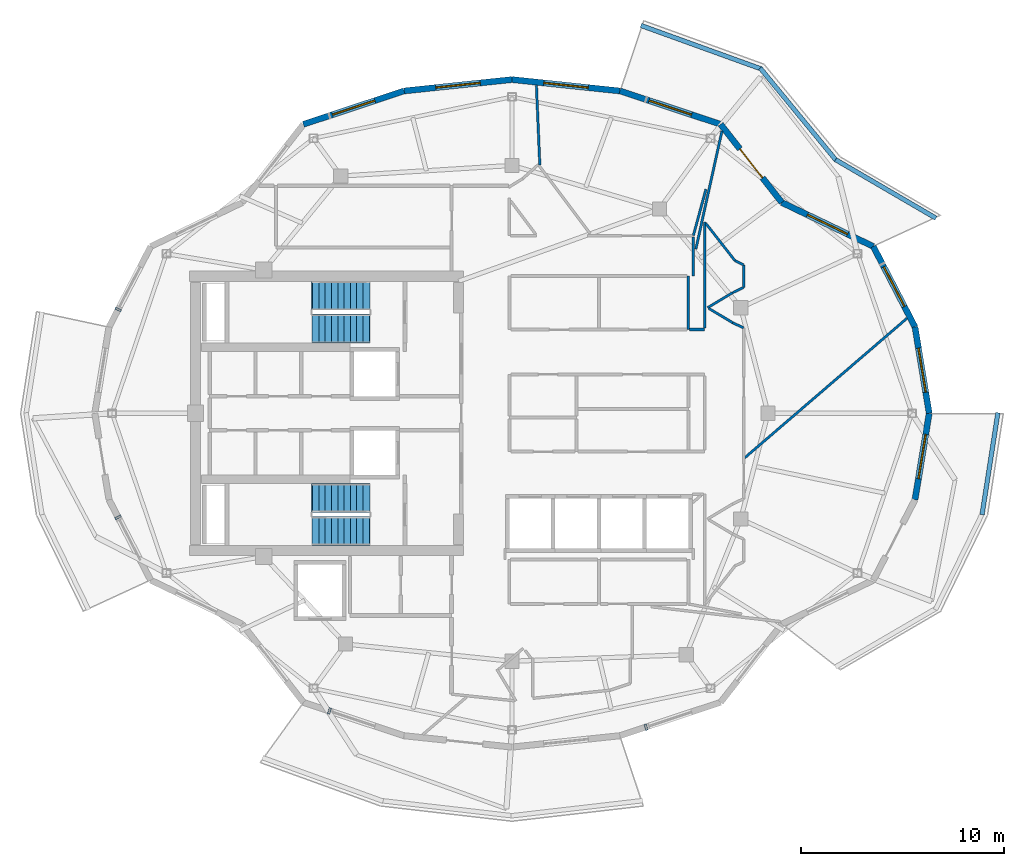
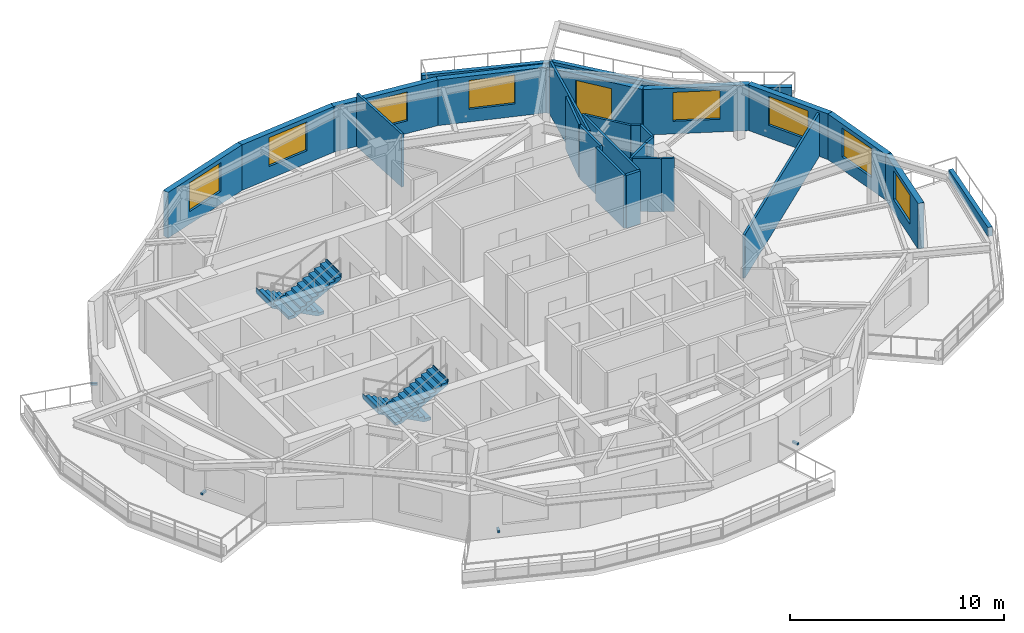
# One storey, part 7 of 11: 28 walls, 8 windows, 4 discrete accessories, 4 stair flights, 1 door, 9 openings, 2 elements without a shape of their own.
"""IFC4 building model written with IfcOpenShell, lengths in metres."""

from ifc_helpers import new_model, si_unit, direction, frame, frame_2d, origin, origin_2d, place, context, subcontext, project, spatial, polyline, rectangle, outline, extrude, material, layer, layer_set, type_object, element, fill, aggregate, save


model = new_model("IFC4")

# Units and contexts
model_context = context("Model", 3, precision=1e-05, world=origin(), true_north=direction((0.0, 1.0)))
body_context = subcontext(model_context, "Body", "Model", "MODEL_VIEW")
ifc_project = project(units=[si_unit("LENGTHUNIT", "METRE"), si_unit("AREAUNIT", "SQUARE_METRE"), si_unit("VOLUMEUNIT", "CUBIC_METRE"), si_unit("PLANEANGLEUNIT", "RADIAN"), si_unit("MASSUNIT", "GRAM", prefix="KILO")], contexts=[model_context])

# Site, building, storey
site_placement = place(None, origin())
site = spatial("IfcSite", under=ifc_project, at=site_placement, CompositionType="ELEMENT")
building_placement = place(site_placement, origin())
building = spatial("IfcBuilding", under=site, at=building_placement, Name="Kolvaren Gate Tower and Convention Centre", CompositionType="ELEMENT")
storey_placement = place(building_placement, frame((0.0, 0.0, 262.39990234375)))
storey = spatial("IfcBuildingStorey", under=building, at=storey_placement, Name="L71", CompositionType="ELEMENT", Elevation=262.39990234375)

# Walls
ifc_material_1 = material(Name="Fire-Rated Acoustic Gypsum Stud Partition", Category="gypsum")
ifc_layer_1 = layer(ifc_material_1, 0.1201171875)
ifc_layer_set_1 = layer_set([ifc_layer_1], Name="Fire-Rated Acoustic Gypsum Stud Partition")
wall_type_1 = type_object("IfcWallType", Name="ARCH-WL-PART-120", PredefinedType="PARTITIONING", material=ifc_layer_set_1)
wall_1_placement = place(storey_placement, frame((38.800048828125, 31.1201171875, 0.0), z_axis=(0.0, 0.0, 1.0), x_axis=(0.0, 1.0, 0.0)))
element("IfcWall", 1, at=wall_1_placement, inside=storey, type_object=wall_type_1, Name="Interior Partition WL-L71-INT-027", PredefinedType="PARTITIONING", context=body_context, shape_type="SweptSolid", body=[
    extrude(rectangle(XDim=2.6298828125, YDim=0.1201171875, at=frame_2d((1.31494140625, 0.0))), origin(), (0.0, 0.0, 1.0), 3.030029296875),
])
wall_2_placement = place(storey_placement, frame((39.050048828125, 33.75, 0.0), z_axis=(0.0, 0.0, 1.0), x_axis=(0.0, 1.0, 0.0)))
element("IfcWall", 2, at=wall_2_placement, inside=storey, type_object=wall_type_1, Name="Interior Partition WL-L71-INT-043", PredefinedType="PARTITIONING", context=body_context, shape_type="SweptSolid", body=[
    extrude(rectangle(XDim=1.93798828125, YDim=0.1201171875, at=frame_2d((0.968994140625, 0.0))), origin(), (0.0, 0.0, 1.0), 3.030029296875),
])
wall_3_placement = place(storey_placement, frame((39.60009765625, 31.197021484375, 0.0), z_axis=(0.0, 0.0, 1.0), x_axis=(0.0, 1.0, 0.0)))
element("IfcWall", 3, at=wall_3_placement, inside=storey, type_object=wall_type_1, Name="Interior Partition WL-L71-INT-046", PredefinedType="PARTITIONING", context=body_context, shape_type="SweptSolid", body=[
    extrude(rectangle(XDim=5.22998046875, YDim=0.1201171875, at=frame_2d((2.614990234375, 0.0))), origin(), (0.0, 0.0, 1.0), 3.030029296875),
])
wall_4_placement = place(storey_placement, frame((39.662109375, 36.347900390625, 0.0), z_axis=(0.0, 0.0, 1.0), x_axis=(0.616212345115, -0.78758005671, 0.0)))
element("IfcWall", 4, at=wall_4_placement, inside=storey, type_object=wall_type_1, Name="Interior Partition WL-L71-INT-047", PredefinedType="PARTITIONING", context=body_context, shape_type="SweptSolid", body=[
    extrude(rectangle(XDim=2.33349609375, YDim=0.1201171875, at=frame_2d((1.166748046875, 0.0))), origin(), (0.0, 0.0, 1.0), 3.030029296875),
])
wall_5_placement = place(storey_placement, frame((41.10009765625, 34.510009765625, 0.0), z_axis=(0.0, 0.0, 1.0), x_axis=(0.902054328377, -0.431622507125, 0.0)))
element("IfcWall", 5, at=wall_5_placement, inside=storey, type_object=wall_type_1, Name="Interior Partition WL-L71-INT-048", PredefinedType="PARTITIONING", context=body_context, shape_type="SweptSolid", body=[
    extrude(rectangle(XDim=0.465576171875, YDim=0.1201171875, at=frame_2d((0.23291015625, 0.0))), origin(), (0.0, 0.0, 1.0), 3.030029296875),
])
wall_6_placement = place(storey_placement, frame((41.52001953125, 33.193115234375, 0.0), z_axis=(0.0, 0.0, 1.0), x_axis=(0.0, 1.0, 0.0)))
element("IfcWall", 6, at=wall_6_placement, inside=storey, type_object=wall_type_1, Name="Interior Partition WL-L71-INT-051", PredefinedType="PARTITIONING", context=body_context, shape_type="SweptSolid", body=[
    extrude(rectangle(XDim=1.115966796875, YDim=0.1201171875, at=frame_2d((0.55810546875, 0.0))), origin(), (0.0, 0.0, 1.0), 3.030029296875),
])
wall_7_placement = place(storey_placement, frame((40.986083984375, 32.93994140625, 0.0), z_axis=(0.0, 0.0, 1.0), x_axis=(0.90356951601, 0.428441512621, 0.0)))
element("IfcWall", 7, at=wall_7_placement, inside=storey, type_object=wall_type_1, Name="Interior Partition WL-L71-INT-052", PredefinedType="PARTITIONING", context=body_context, shape_type="SweptSolid", body=[
    extrude(rectangle(XDim=0.5908203125, YDim=0.1201171875, at=frame_2d((0.29541015625, 0.0))), origin(), (0.0, 0.0, 1.0), 3.030029296875),
])
wall_8_placement = place(storey_placement, frame((39.75, 32.198974609375, 0.0), z_axis=(0.0, 0.0, 1.0), x_axis=(0.857702120906, 0.514146935996, 0.0)))
element("IfcWall", 8, at=wall_8_placement, inside=storey, type_object=wall_type_1, Name="Interior Partition WL-L71-INT-053", PredefinedType="PARTITIONING", context=body_context, shape_type="SweptSolid", body=[
    extrude(rectangle(XDim=1.441162109375, YDim=0.1201171875, at=frame_2d((0.720703125, 0.0))), origin(), (0.0, 0.0, 1.0), 3.030029296875),
])
wall_9_placement = place(storey_placement, frame((39.810302734375, 32.162841796875, 0.0), z_axis=(0.0, 0.0, 1.0), x_axis=(0.858011245414, -0.513630901273, 0.0)))
element("IfcWall", 9, at=wall_9_placement, inside=storey, type_object=wall_type_1, Name="Interior Partition WL-L71-INT-054", PredefinedType="PARTITIONING", context=body_context, shape_type="SweptSolid", body=[
    extrude(rectangle(XDim=1.370361328125, YDim=0.1201171875, at=frame_2d((0.68505859375, 0.0))), origin(), (0.0, 0.0, 1.0), 3.030029296875),
])
wall_10_placement = place(storey_placement, frame((40.986083984375, 31.458984375, 0.0), z_axis=(0.0, 0.0, 1.0), x_axis=(0.903729424576, -0.428104107847, 0.0)))
element("IfcWall", 10, at=wall_10_placement, inside=storey, type_object=wall_type_1, Name="Interior Partition WL-L71-INT-055", PredefinedType="PARTITIONING", context=body_context, shape_type="SweptSolid", body=[
    extrude(rectangle(XDim=0.5908203125, YDim=0.1201171875, at=frame_2d((0.29541015625, 0.0))), origin(), (0.0, 0.0, 1.0), 3.030029296875),
])
wall_11_placement = place(storey_placement, frame((41.58203125, 24.814453125, 0.0), z_axis=(0.0, 0.0, 1.0), x_axis=(0.758204685581, 0.652016606202, 0.0)))
element("IfcWall", 11, at=wall_11_placement, inside=storey, type_object=wall_type_1, Name="Interior Partition WL-L71-INT-076", PredefinedType="PARTITIONING", context=body_context, shape_type="SweptSolid", body=[
    extrude(rectangle(XDim=10.52783203125, YDim=0.1201171875, at=frame_2d((5.263916015625, 0.0))), origin(), (0.0, 0.0, 1.0), 2.47802734375),
])
wall_12_placement = place(storey_placement, frame((39.172119140625, 35.08349609375, 0.0), z_axis=(0.0, 0.0, 1.0), x_axis=(0.216048361883, 0.976382663369, 0.0)))
element("IfcWall", 12, at=wall_12_placement, inside=storey, type_object=wall_type_1, Name="Interior Partition WL-L71-INT-079", PredefinedType="PARTITIONING", context=body_context, shape_type="SweptSolid", body=[
    extrude(rectangle(XDim=5.94970703125, YDim=0.1201171875, at=frame_2d((2.974853515625, 0.0))), origin(), (0.0, 0.0, 1.0), 3.030029296875),
])
wall_13_placement = place(storey_placement, frame((39.050048828125, 35.75, 0.0), z_axis=(0.0, 0.0, 1.0), x_axis=(0.262548848822, 0.964918702266, 0.0)))
element("IfcWall", 13, at=wall_13_placement, inside=storey, type_object=wall_type_1, Name="Interior Partition WL-L71-INT-080", PredefinedType="PARTITIONING", context=body_context, shape_type="SweptSolid", body=[
    extrude(rectangle(XDim=2.36181640625, YDim=0.1201171875, at=frame_2d((1.180908203125, 0.0))), origin(), (0.0, 0.0, 1.0), 3.030029296875),
])
wall_14_placement = place(storey_placement, frame((31.326171875, 43.145751953125, 0.0), z_axis=(0.0, 0.0, 1.0), x_axis=(0.042550336493, -0.999094324308, 0.0)))
element("IfcWall", 14, at=wall_14_placement, inside=storey, type_object=wall_type_1, Name="Interior Partition WL-L71-INT-081", PredefinedType="PARTITIONING", context=body_context, shape_type="SweptSolid", body=[
    extrude(rectangle(XDim=3.930419921875, YDim=0.1201171875, at=frame_2d((1.96533203125, 0.0))), origin(), (0.0, 0.0, 1.0), 3.030029296875),
])
ifc_material_2 = material(Name="Piedmont Cream Honed Limestone Cladding", Category="masonry")
ifc_layer_2 = layer(ifc_material_2, 0.219970703125)
ifc_layer_set_2 = layer_set([ifc_layer_2], Name="Piedmont Cream Honed Limestone Cladding")
wall_type_2 = type_object("IfcWallType", Name="ARCH-WL-PLANTER-220", PredefinedType="PARAPET", material=ifc_layer_set_2)
wall_15_placement = place(storey_placement, frame((46.0478515625, 39.484619140625, 0.0), z_axis=(0.0, 0.0, 1.0), x_axis=(0.863803671285, -0.503828559606, 0.0)))
element("IfcWall", 15, at=wall_15_placement, inside=storey, type_object=wall_type_2, Name="Vertical-Forest Balcony Stone Planter Kerb PK-L71-1.1", PredefinedType="PARAPET", context=body_context, shape_type="SweptSolid", body=[
    extrude(rectangle(XDim=5.719482421875, YDim=0.219970703125, at=frame_2d((2.85986328125, 0.0))), origin(), (0.0, 0.0, 1.0), 0.52001953125),
])
wall_16_placement = place(storey_placement, frame((42.338623046875, 43.989990234375, 0.0), z_axis=(0.0, 0.0, 1.0), x_axis=(0.635450933862, -0.772141250455, 0.0)))
element("IfcWall", 16, at=wall_16_placement, inside=storey, type_object=wall_type_2, Name="Vertical-Forest Balcony Stone Planter Kerb PK-L71-1.2", PredefinedType="PARAPET", context=body_context, shape_type="SweptSolid", body=[
    extrude(rectangle(XDim=5.91015625, YDim=0.219970703125, at=frame_2d((2.955078125, 0.0))), origin(), (0.0, 0.0, 1.0), 0.52001953125),
])
wall_17_placement = place(storey_placement, frame((36.47265625, 46.087158203125, 0.0), z_axis=(0.0, 0.0, 1.0), x_axis=(0.940465240036, -0.339889882585, 0.0)))
element("IfcWall", 17, at=wall_17_placement, inside=storey, type_object=wall_type_2, Name="Vertical-Forest Balcony Stone Planter Kerb PK-L71-1.3", PredefinedType="PARAPET", context=body_context, shape_type="SweptSolid", body=[
    extrude(rectangle(XDim=6.306640625, YDim=0.219970703125, at=frame_2d((3.1533203125, 0.0))), origin(), (0.0, 0.0, 1.0), 0.52001953125),
])
wall_18_placement = place(storey_placement, frame((53.2568359375, 22.01123046875, 0.0), z_axis=(0.0, 0.0, 1.0), x_axis=(0.15374038442, 0.988111276223, 0.0)))
element("IfcWall", 18, at=wall_18_placement, inside=storey, type_object=wall_type_2, Name="Vertical-Forest Balcony Stone Planter Kerb PK-L71-4.3", PredefinedType="PARAPET", context=body_context, shape_type="SweptSolid", body=[
    extrude(rectangle(XDim=5.078369140625, YDim=0.219970703125, at=frame_2d((2.5390625, 0.0))), origin(), (0.0, 0.0, 1.0), 0.52001953125),
])

# Wall, opening, window
ifc_layer_3 = layer(ifc_material_2, 0.300048828125)
ifc_layer_set_3 = layer_set([ifc_layer_3], Name="Piedmont Cream Honed Limestone Cladding")
wall_type_3 = type_object("IfcWallType", Name="ARCH-WL-STONE-300", PredefinedType="SOLIDWALL", material=ifc_layer_set_3)
wall_19_placement = place(storey_placement, frame((49.95654296875, 31.251220703125, 0.0), z_axis=(0.0, 0.0, 1.0), x_axis=(0.162404622434, -0.98672424649, 0.0)))
wall_19 = element("IfcWall", 19, at=wall_19_placement, inside=storey, type_object=wall_type_3, Name="Tower L71 Honed Stone Spandrel Wall EW-00", PredefinedType="SOLIDWALL", context=body_context, shape_type="SweptSolid", body=[
    extrude(rectangle(XDim=4.308349609375, YDim=0.300048828125, at=frame_2d((2.154296875, 0.0))), origin(), (0.0, 0.0, 1.0), 2.60498046875),
])
opening_1_placement = place(wall_19_placement, frame((1.053955078125, 0.0, 0.719970703125)))
opening_1 = element("IfcOpeningElement", 20, at=opening_1_placement, cuts=wall_19, Name="Opening W-03", PredefinedType="OPENING", context=body_context, shape_type="SweptSolid", body=[
    extrude(rectangle(XDim=2.199951171875, YDim=1.64990234375, at=frame_2d((1.10009765625, 0.824951171875))), frame((0.0, 0.159912109375, 0.0), z_axis=(0.0, -1.0, 0.0), x_axis=(1.0, 0.0, 0.0)), (0.0, 0.0, 1.0), 0.320068359375),
])
ifc_material_3 = material(Name="Low-E Triple Insulated Glazing Unit 44 mm", Category="glass")
window_type = type_object("IfcWindowType", Name="ARCH-WN-RES-2200", PartitioningType="SINGLE_PANEL", PredefinedType="WINDOW", material=ifc_material_3)
window_1_placement = place(opening_1_placement, origin())
window_1 = element("IfcWindow", 21, at=window_1_placement, inside=storey, type_object=window_type, Name="Tower L71 Punched Stone Facade Window W-00", OverallHeight=1.64990234375, OverallWidth=2.199951171875, PartitioningType="SINGLE_PANEL", PredefinedType="WINDOW", context=body_context, shape_type="SweptSolid", body=[
    extrude(rectangle(XDim=2.199951171875, YDim=1.64990234375, at=frame_2d((1.10009765625, 0.824951171875))), frame((0.0, 0.030029296875, 0.0), z_axis=(0.0, -1.0, 0.0), x_axis=(1.0, 0.0, 0.0)), (0.0, 0.0, 1.0), 0.06005859375),
])
fill(opening_1, window_1)

wall_20_placement = place(storey_placement, frame((47.905517578125, 35.21240234375, 0.0), z_axis=(0.0, 0.0, 1.0), x_axis=(0.459801070243, -0.888021945564, 0.0)))
wall_20 = element("IfcWall", 22, at=wall_20_placement, inside=storey, type_object=wall_type_3, Name="Tower L71 Honed Stone Spandrel Wall EW-01", PredefinedType="SOLIDWALL", context=body_context, shape_type="SweptSolid", body=[
    extrude(rectangle(XDim=4.460693359375, YDim=0.300048828125, at=frame_2d((2.23046875, 0.0))), origin(), (0.0, 0.0, 1.0), 2.60498046875),
])
opening_2_placement = place(wall_20_placement, frame((1.1298828125, 0.0, 0.719970703125)))
opening_2 = element("IfcOpeningElement", 23, at=opening_2_placement, cuts=wall_20, Name="Opening W-03", PredefinedType="OPENING", context=body_context, shape_type="SweptSolid", body=[
    extrude(rectangle(XDim=2.199951171875, YDim=1.64990234375, at=frame_2d((1.10009765625, 0.824951171875))), frame((0.0, 0.159912109375, 0.0), z_axis=(0.0, -1.0, 0.0), x_axis=(1.0, 0.0, 0.0)), (0.0, 0.0, 1.0), 0.320068359375),
])
window_2_placement = place(opening_2_placement, origin())
window_2 = element("IfcWindow", 24, at=window_2_placement, inside=storey, type_object=window_type, Name="Tower L71 Punched Stone Facade Window W-01", OverallHeight=1.64990234375, OverallWidth=2.199951171875, PartitioningType="SINGLE_PANEL", PredefinedType="WINDOW", context=body_context, shape_type="SweptSolid", body=[
    extrude(rectangle(XDim=2.199951171875, YDim=1.64990234375, at=frame_2d((1.10009765625, 0.824951171875))), frame((0.0, 0.030029296875, 0.0), z_axis=(0.0, -1.0, 0.0), x_axis=(1.0, 0.0, 0.0)), (0.0, 0.0, 1.0), 0.06005859375),
])
fill(opening_2, window_2)

wall_21_placement = place(storey_placement, frame((43.40380859375, 37.37548828125, 0.0), z_axis=(0.0, 0.0, 1.0), x_axis=(0.901346013132, -0.433099716706, 0.0)))
wall_21 = element("IfcWall", 25, at=wall_21_placement, inside=storey, type_object=wall_type_3, Name="Tower L71 Honed Stone Spandrel Wall EW-02", PredefinedType="SOLIDWALL", context=body_context, shape_type="SweptSolid", body=[
    extrude(rectangle(XDim=4.994384765625, YDim=0.300048828125, at=frame_2d((2.4970703125, 0.0))), origin(), (0.0, 0.0, 1.0), 2.60498046875),
])
opening_3_placement = place(wall_21_placement, frame((1.39697265625, 0.0, 0.719970703125)))
opening_3 = element("IfcOpeningElement", 26, at=opening_3_placement, cuts=wall_21, Name="Opening W-03", PredefinedType="OPENING", context=body_context, shape_type="SweptSolid", body=[
    extrude(rectangle(XDim=2.199951171875, YDim=1.64990234375, at=frame_2d((1.10009765625, 0.824951171875))), frame((0.0, 0.159912109375, 0.0), z_axis=(0.0, -1.0, 0.0), x_axis=(1.0, 0.0, 0.0)), (0.0, 0.0, 1.0), 0.320068359375),
])
window_3_placement = place(opening_3_placement, origin())
window_3 = element("IfcWindow", 27, at=window_3_placement, inside=storey, type_object=window_type, Name="Tower L71 Punched Stone Facade Window W-02", OverallHeight=1.64990234375, OverallWidth=2.199951171875, PartitioningType="SINGLE_PANEL", PredefinedType="WINDOW", context=body_context, shape_type="SweptSolid", body=[
    extrude(rectangle(XDim=2.199951171875, YDim=1.64990234375, at=frame_2d((1.10009765625, 0.824951171875))), frame((0.0, 0.030029296875, 0.0), z_axis=(0.0, -1.0, 0.0), x_axis=(1.0, 0.0, 0.0)), (0.0, 0.0, 1.0), 0.06005859375),
])
fill(opening_3, window_3)

# Wall, opening, door
wall_22_placement = place(storey_placement, frame((40.390625, 41.224609375, 0.0), z_axis=(0.0, 0.0, 1.0), x_axis=(0.616413297421, -0.78742278781, 0.0)))
wall_22 = element("IfcWall", 28, at=wall_22_placement, inside=storey, type_object=wall_type_3, Name="Tower L71 Honed Stone Spandrel Wall EW-03", PredefinedType="SOLIDWALL", context=body_context, shape_type="SweptSolid", body=[
    extrude(rectangle(XDim=4.88818359375, YDim=0.300048828125, at=frame_2d((2.444091796875, 0.0))), origin(), (0.0, 0.0, 1.0), 2.60498046875),
])
opening_4_placement = place(wall_22_placement, frame((1.5439453125, 0.0, 0.0)))
opening_4 = element("IfcOpeningElement", 29, at=opening_4_placement, cuts=wall_22, Name="Opening DB-01", PredefinedType="OPENING", context=body_context, shape_type="SweptSolid", body=[
    extrude(rectangle(XDim=1.800048828125, YDim=2.25, at=frame_2d((0.89990234375, 1.125))), frame((0.0, 0.159912109375, 0.0), z_axis=(0.0, -1.0, 0.0), x_axis=(1.0, 0.0, 0.0)), (0.0, 0.0, 1.0), 0.320068359375),
])
ifc_material_4 = material(Name="Anodized Architectural Aluminium Alloy 6063-T6", Category="aluminium")
door_type = type_object("IfcDoorType", Name="ARCH-DR-BALC-1800", OperationType="SLIDING_TO_LEFT", PredefinedType="DOOR", material=ifc_material_4)
door_placement = place(opening_4_placement, origin())
door = element("IfcDoor", 30, at=door_placement, inside=storey, type_object=door_type, Name="Planted Sky Terrace Access Door DB-L71-03", OperationType="SLIDING_TO_LEFT", OverallHeight=2.25, OverallWidth=1.800048828125, PredefinedType="DOOR", context=body_context, shape_type="SweptSolid", body=[
    extrude(rectangle(XDim=1.800048828125, YDim=2.25, at=frame_2d((0.89990234375, 1.125))), frame((0.0, 0.02490234375, 0.0), z_axis=(0.0, -1.0, 0.0), x_axis=(1.0, 0.0, 0.0)), (0.0, 0.0, 1.0), 0.050048828125),
])
fill(opening_4, door)

# Wall, opening, window
wall_23_placement = place(storey_placement, frame((35.43896484375, 42.865234375, 0.0), z_axis=(0.0, 0.0, 1.0), x_axis=(0.949252744709, -0.314514271001, 0.0)))
wall_23 = element("IfcWall", 31, at=wall_23_placement, inside=storey, type_object=wall_type_3, Name="Tower L71 Honed Stone Spandrel Wall EW-04", PredefinedType="SOLIDWALL", context=body_context, shape_type="SweptSolid", body=[
    extrude(rectangle(XDim=5.21630859375, YDim=0.300048828125, at=frame_2d((2.608154296875, 0.0))), origin(), (0.0, 0.0, 1.0), 2.60498046875),
])
opening_5_placement = place(wall_23_placement, frame((1.508056640625, 0.0, 0.719970703125)))
opening_5 = element("IfcOpeningElement", 32, at=opening_5_placement, cuts=wall_23, Name="Opening W-03", PredefinedType="OPENING", context=body_context, shape_type="SweptSolid", body=[
    extrude(rectangle(XDim=2.199951171875, YDim=1.64990234375, at=frame_2d((1.10009765625, 0.824951171875))), frame((0.0, 0.159912109375, 0.0), z_axis=(0.0, -1.0, 0.0), x_axis=(1.0, 0.0, 0.0)), (0.0, 0.0, 1.0), 0.320068359375),
])
window_4_placement = place(opening_5_placement, origin())
window_4 = element("IfcWindow", 33, at=window_4_placement, inside=storey, type_object=window_type, Name="Tower L71 Punched Stone Facade Window W-04", OverallHeight=1.64990234375, OverallWidth=2.199951171875, PartitioningType="SINGLE_PANEL", PredefinedType="WINDOW", context=body_context, shape_type="SweptSolid", body=[
    extrude(rectangle(XDim=2.199951171875, YDim=1.64990234375, at=frame_2d((1.10009765625, 0.824951171875))), frame((0.0, 0.030029296875, 0.0), z_axis=(0.0, -1.0, 0.0), x_axis=(1.0, 0.0, 0.0)), (0.0, 0.0, 1.0), 0.06005859375),
])
fill(opening_5, window_4)

wall_24_placement = place(storey_placement, frame((30.125, 43.425048828125, 0.0), z_axis=(0.0, 0.0, 1.0), x_axis=(0.9944966869, -0.104768028258, 0.0)))
wall_24 = element("IfcWall", 34, at=wall_24_placement, inside=storey, type_object=wall_type_3, Name="Tower L71 Honed Stone Spandrel Wall EW-05", PredefinedType="SOLIDWALL", context=body_context, shape_type="SweptSolid", body=[
    extrude(rectangle(XDim=5.34326171875, YDim=0.300048828125, at=frame_2d((2.671630859375, 0.0))), origin(), (0.0, 0.0, 1.0), 2.60498046875),
])
opening_6_placement = place(wall_24_placement, frame((1.572021484375, 0.0, 0.719970703125)))
opening_6 = element("IfcOpeningElement", 35, at=opening_6_placement, cuts=wall_24, Name="Opening W-03", PredefinedType="OPENING", context=body_context, shape_type="SweptSolid", body=[
    extrude(rectangle(XDim=2.199951171875, YDim=1.64990234375, at=frame_2d((1.10009765625, 0.824951171875))), frame((0.0, 0.159912109375, 0.0), z_axis=(0.0, -1.0, 0.0), x_axis=(1.0, 0.0, 0.0)), (0.0, 0.0, 1.0), 0.320068359375),
])
window_5_placement = place(opening_6_placement, origin())
window_5 = element("IfcWindow", 36, at=window_5_placement, inside=storey, type_object=window_type, Name="Tower L71 Punched Stone Facade Window W-05", OverallHeight=1.64990234375, OverallWidth=2.199951171875, PartitioningType="SINGLE_PANEL", PredefinedType="WINDOW", context=body_context, shape_type="SweptSolid", body=[
    extrude(rectangle(XDim=2.199951171875, YDim=1.64990234375, at=frame_2d((1.10009765625, 0.824951171875))), frame((0.0, 0.030029296875, 0.0), z_axis=(0.0, -1.0, 0.0), x_axis=(1.0, 0.0, 0.0)), (0.0, 0.0, 1.0), 0.06005859375),
])
fill(opening_6, window_5)

wall_25_placement = place(storey_placement, frame((24.81103515625, 42.865234375, 0.0), z_axis=(0.0, 0.0, 1.0), x_axis=(0.9944966869, 0.104768028258, 0.0)))
wall_25 = element("IfcWall", 37, at=wall_25_placement, inside=storey, type_object=wall_type_3, Name="Tower L71 Honed Stone Spandrel Wall EW-06", PredefinedType="SOLIDWALL", context=body_context, shape_type="SweptSolid", body=[
    extrude(rectangle(XDim=5.34326171875, YDim=0.300048828125, at=frame_2d((2.671630859375, 0.0))), origin(), (0.0, 0.0, 1.0), 2.60498046875),
])
opening_7_placement = place(wall_25_placement, frame((1.572021484375, 0.0, 0.719970703125)))
opening_7 = element("IfcOpeningElement", 38, at=opening_7_placement, cuts=wall_25, Name="Opening W-03", PredefinedType="OPENING", context=body_context, shape_type="SweptSolid", body=[
    extrude(rectangle(XDim=2.199951171875, YDim=1.64990234375, at=frame_2d((1.10009765625, 0.824951171875))), frame((0.0, 0.159912109375, 0.0), z_axis=(0.0, -1.0, 0.0), x_axis=(1.0, 0.0, 0.0)), (0.0, 0.0, 1.0), 0.320068359375),
])
window_6_placement = place(opening_7_placement, origin())
window_6 = element("IfcWindow", 39, at=window_6_placement, inside=storey, type_object=window_type, Name="Tower L71 Punched Stone Facade Window W-06", OverallHeight=1.64990234375, OverallWidth=2.199951171875, PartitioningType="SINGLE_PANEL", PredefinedType="WINDOW", context=body_context, shape_type="SweptSolid", body=[
    extrude(rectangle(XDim=2.199951171875, YDim=1.64990234375, at=frame_2d((1.10009765625, 0.824951171875))), frame((0.0, 0.030029296875, 0.0), z_axis=(0.0, -1.0, 0.0), x_axis=(1.0, 0.0, 0.0)), (0.0, 0.0, 1.0), 0.06005859375),
])
fill(opening_7, window_6)

wall_26_placement = place(storey_placement, frame((19.859375, 41.224609375, 0.0), z_axis=(0.0, 0.0, 1.0), x_axis=(0.949252744709, 0.314514271001, 0.0)))
wall_26 = element("IfcWall", 40, at=wall_26_placement, inside=storey, type_object=wall_type_3, Name="Tower L71 Honed Stone Spandrel Wall EW-07", PredefinedType="SOLIDWALL", context=body_context, shape_type="SweptSolid", body=[
    extrude(rectangle(XDim=5.21630859375, YDim=0.300048828125, at=frame_2d((2.608154296875, 0.0))), origin(), (0.0, 0.0, 1.0), 2.60498046875),
])
opening_8_placement = place(wall_26_placement, frame((1.508056640625, 0.0, 0.719970703125)))
opening_8 = element("IfcOpeningElement", 41, at=opening_8_placement, cuts=wall_26, Name="Opening W-03", PredefinedType="OPENING", context=body_context, shape_type="SweptSolid", body=[
    extrude(rectangle(XDim=2.199951171875, YDim=1.64990234375, at=frame_2d((1.10009765625, 0.824951171875))), frame((0.0, 0.159912109375, 0.0), z_axis=(0.0, -1.0, 0.0), x_axis=(1.0, 0.0, 0.0)), (0.0, 0.0, 1.0), 0.320068359375),
])
window_7_placement = place(opening_8_placement, origin())
window_7 = element("IfcWindow", 42, at=window_7_placement, inside=storey, type_object=window_type, Name="Tower L71 Punched Stone Facade Window W-07", OverallHeight=1.64990234375, OverallWidth=2.199951171875, PartitioningType="SINGLE_PANEL", PredefinedType="WINDOW", context=body_context, shape_type="SweptSolid", body=[
    extrude(rectangle(XDim=2.199951171875, YDim=1.64990234375, at=frame_2d((1.10009765625, 0.824951171875))), frame((0.0, 0.030029296875, 0.0), z_axis=(0.0, -1.0, 0.0), x_axis=(1.0, 0.0, 0.0)), (0.0, 0.0, 1.0), 0.06005859375),
])
fill(opening_8, window_7)

wall_27_placement = place(storey_placement, frame((49.95654296875, 22.748779296875, 0.0), z_axis=(0.0, 0.0, 1.0), x_axis=(0.162404622434, 0.98672424649, 0.0)))
wall_27 = element("IfcWall", 43, at=wall_27_placement, inside=storey, type_object=wall_type_3, Name="Tower L71 Honed Stone Spandrel Wall EW-23", PredefinedType="SOLIDWALL", context=body_context, shape_type="SweptSolid", body=[
    extrude(rectangle(XDim=4.308349609375, YDim=0.300048828125, at=frame_2d((2.154296875, 0.0))), origin(), (0.0, 0.0, 1.0), 2.60498046875),
])
opening_9_placement = place(wall_27_placement, frame((1.053955078125, 0.0, 0.719970703125)))
opening_9 = element("IfcOpeningElement", 44, at=opening_9_placement, cuts=wall_27, Name="Opening W-03", PredefinedType="OPENING", context=body_context, shape_type="SweptSolid", body=[
    extrude(rectangle(XDim=2.199951171875, YDim=1.64990234375, at=frame_2d((1.10009765625, 0.824951171875))), frame((0.0, 0.159912109375, 0.0), z_axis=(0.0, -1.0, 0.0), x_axis=(1.0, 0.0, 0.0)), (0.0, 0.0, 1.0), 0.320068359375),
])
window_8_placement = place(opening_9_placement, origin())
window_8 = element("IfcWindow", 45, at=window_8_placement, inside=storey, type_object=window_type, Name="Tower L71 Punched Stone Facade Window W-23", OverallHeight=1.64990234375, OverallWidth=2.199951171875, PartitioningType="SINGLE_PANEL", PredefinedType="WINDOW", context=body_context, shape_type="SweptSolid", body=[
    extrude(rectangle(XDim=2.199951171875, YDim=1.64990234375, at=frame_2d((1.10009765625, 0.824951171875))), frame((0.0, 0.030029296875, 0.0), z_axis=(0.0, -1.0, 0.0), x_axis=(1.0, 0.0, 0.0)), (0.0, 0.0, 1.0), 0.06005859375),
])
fill(opening_9, window_8)

# Wall
ifc_material_5 = material(Name="Moisture-Resistant Cement-Board Acoustic Partition", Category="gypsum")
ifc_layer_4 = layer(ifc_material_5, 0.14990234375)
ifc_layer_set_4 = layer_set([ifc_layer_4], Name="Moisture-Resistant Cement-Board Acoustic Partition")
wall_type_4 = type_object("IfcWallType", Name="ARCH-WL-WET-150", PredefinedType="PARTITIONING", material=ifc_layer_set_4)
wall_28_placement = place(storey_placement, frame((38.862060546875, 31.1201171875, 0.0), z_axis=(0.0, 0.0, 1.0), x_axis=(1.0, 0.0, 0.0)))
element("IfcWall", 46, at=wall_28_placement, inside=storey, type_object=wall_type_4, Name="Interior Partition WL-L71-INT-028 (2)", PredefinedType="PARTITIONING", context=body_context, shape_type="SweptSolid", body=[
    extrude(rectangle(XDim=0.738037109375, YDim=0.14990234375, at=frame_2d((0.369140625, 0.0))), origin(), (0.0, 0.0, 1.0), 3.030029296875),
])

# Stair, stair flights
ifc_material_6 = material(Name="Concrete C50/60", Category="concrete")
stair_type = type_object("IfcStairType", Name="STR-STAIR-CORE", PredefinedType="HALF_TURN_STAIR", material=ifc_material_6)
stair_1_placement = place(storey_placement, origin())
stair_1 = element("IfcStair", 47, at=stair_1_placement, inside=storey, type_object=stair_type, Name="L71 Tower North Exit Stair ST-T1", PredefinedType="HALF_TURN_STAIR")
stair_flight_type = type_object("IfcStairFlightType", Name="STR-SFL-1420", PredefinedType="STRAIGHT", material=ifc_material_6)
stair_flight_1_placement = place(storey_placement, frame((23.10009765625, 32.7900390625, 0.0), z_axis=(0.0, 0.0, 1.0), x_axis=(-1.0, 0.0, 0.0)))
stair_flight_1 = element("IfcStairFlight", 48, at=stair_flight_1_placement, type_object=stair_flight_type, Name="ST-T1 flight 1", NumberOfRisers=10, NumberOfTreads=9, PredefinedType="STRAIGHT", RiserHeight=0.165, TreadLength=0.31, context=body_context, shape_type="SweptSolid", body=[
    extrude(outline(polyline([(-0.034912109375, 0.0), (-0.034912109375, 0.1650390625), (0.31005859375, 0.1650390625), (0.31005859375, 0.330078125), (0.6201171875, 0.330078125), (0.6201171875, 0.4951171875), (0.929931640625, 0.4951171875), (0.929931640625, 0.659912109375), (1.239990234375, 0.659912109375), (1.239990234375, 0.824951171875), (1.550048828125, 0.824951171875), (1.550048828125, 0.989990234375), (1.860107421875, 0.989990234375), (1.860107421875, 1.155029296875), (2.169921875, 1.155029296875), (2.169921875, 1.320068359375), (2.47998046875, 1.320068359375), (2.47998046875, 1.485107421875), (2.7900390625, 1.485107421875), (2.7900390625, 1.64990234375), (2.8349609375, 1.64990234375), (2.8349609375, 1.489990234375), (2.7900390625, 1.315185546875), (0.319091796875, 0.0), (-0.034912109375, 0.0)])), frame((0.0, 0.7099609375, 0.0), z_axis=(0.0, -1.0, 0.0), x_axis=(1.0, 0.0, 0.0)), (0.0, 0.0, 1.0), 1.419921875),
])
stair_flight_2_placement = place(storey_placement, frame((20.31005859375, 31.169921875, 1.650146484375), z_axis=(0.0, 0.0, 1.0), x_axis=(1.0, 0.0, 0.0)))
stair_flight_2 = element("IfcStairFlight", 49, at=stair_flight_2_placement, type_object=stair_flight_type, Name="ST-T1 flight 2", NumberOfRisers=10, NumberOfTreads=9, PredefinedType="STRAIGHT", RiserHeight=0.165, TreadLength=0.31, context=body_context, shape_type="SweptSolid", body=[
    extrude(outline(polyline([(-0.034912109375, 0.0), (-0.034912109375, 0.1650390625), (0.31005859375, 0.1650390625), (0.31005859375, 0.330078125), (0.6201171875, 0.330078125), (0.6201171875, 0.4951171875), (0.929931640625, 0.4951171875), (0.929931640625, 0.659912109375), (1.239990234375, 0.659912109375), (1.239990234375, 0.824951171875), (1.550048828125, 0.824951171875), (1.550048828125, 0.989990234375), (1.860107421875, 0.989990234375), (1.860107421875, 1.155029296875), (2.169921875, 1.155029296875), (2.169921875, 1.320068359375), (2.47998046875, 1.320068359375), (2.47998046875, 1.485107421875), (2.7900390625, 1.485107421875), (2.7900390625, 1.64990234375), (2.8349609375, 1.64990234375), (2.8349609375, 1.489990234375), (2.7900390625, 1.315185546875), (0.319091796875, 0.0), (-0.034912109375, 0.0)])), frame((0.0, 0.7099609375, 0.0), z_axis=(0.0, -1.0, 0.0), x_axis=(1.0, 0.0, 0.0)), (0.0, 0.0, 1.0), 1.419921875),
])
aggregate(stair_1, [stair_flight_1, stair_flight_2])

stair_2_placement = place(storey_placement, origin())
stair_2 = element("IfcStair", 50, at=stair_2_placement, inside=storey, type_object=stair_type, Name="L71 Tower South Exit Stair ST-T2", PredefinedType="HALF_TURN_STAIR")
stair_flight_3_placement = place(storey_placement, frame((23.10009765625, 22.830078125, 0.0), z_axis=(0.0, 0.0, 1.0), x_axis=(-1.0, 0.0, 0.0)))
stair_flight_3 = element("IfcStairFlight", 51, at=stair_flight_3_placement, type_object=stair_flight_type, Name="ST-T2 flight 1", NumberOfRisers=10, NumberOfTreads=9, PredefinedType="STRAIGHT", RiserHeight=0.165, TreadLength=0.31, context=body_context, shape_type="SweptSolid", body=[
    extrude(outline(polyline([(-0.034912109375, 0.0), (-0.034912109375, 0.1650390625), (0.31005859375, 0.1650390625), (0.31005859375, 0.330078125), (0.6201171875, 0.330078125), (0.6201171875, 0.4951171875), (0.929931640625, 0.4951171875), (0.929931640625, 0.659912109375), (1.239990234375, 0.659912109375), (1.239990234375, 0.824951171875), (1.550048828125, 0.824951171875), (1.550048828125, 0.989990234375), (1.860107421875, 0.989990234375), (1.860107421875, 1.155029296875), (2.169921875, 1.155029296875), (2.169921875, 1.320068359375), (2.47998046875, 1.320068359375), (2.47998046875, 1.485107421875), (2.7900390625, 1.485107421875), (2.7900390625, 1.64990234375), (2.8349609375, 1.64990234375), (2.8349609375, 1.489990234375), (2.7900390625, 1.315185546875), (0.319091796875, 0.0), (-0.034912109375, 0.0)])), frame((0.0, 0.7099609375, 0.0), z_axis=(0.0, -1.0, 0.0), x_axis=(1.0, 0.0, 0.0)), (0.0, 0.0, 1.0), 1.419921875),
])
stair_flight_4_placement = place(storey_placement, frame((20.31005859375, 21.2099609375, 1.650146484375), z_axis=(0.0, 0.0, 1.0), x_axis=(1.0, 0.0, 0.0)))
stair_flight_4 = element("IfcStairFlight", 52, at=stair_flight_4_placement, type_object=stair_flight_type, Name="ST-T2 flight 2", NumberOfRisers=10, NumberOfTreads=9, PredefinedType="STRAIGHT", RiserHeight=0.165, TreadLength=0.31, context=body_context, shape_type="SweptSolid", body=[
    extrude(outline(polyline([(-0.034912109375, 0.0), (-0.034912109375, 0.1650390625), (0.31005859375, 0.1650390625), (0.31005859375, 0.330078125), (0.6201171875, 0.330078125), (0.6201171875, 0.4951171875), (0.929931640625, 0.4951171875), (0.929931640625, 0.659912109375), (1.239990234375, 0.659912109375), (1.239990234375, 0.824951171875), (1.550048828125, 0.824951171875), (1.550048828125, 0.989990234375), (1.860107421875, 0.989990234375), (1.860107421875, 1.155029296875), (2.169921875, 1.155029296875), (2.169921875, 1.320068359375), (2.47998046875, 1.320068359375), (2.47998046875, 1.485107421875), (2.7900390625, 1.485107421875), (2.7900390625, 1.64990234375), (2.8349609375, 1.64990234375), (2.8349609375, 1.489990234375), (2.7900390625, 1.315185546875), (0.319091796875, 0.0), (-0.034912109375, 0.0)])), frame((0.0, 0.7099609375, 0.0), z_axis=(0.0, -1.0, 0.0), x_axis=(1.0, 0.0, 0.0)), (0.0, 0.0, 1.0), 1.419921875),
])
aggregate(stair_2, [stair_flight_3, stair_flight_4])

# Discrete accessories
discrete_accessory_type = type_object("IfcDiscreteAccessoryType", Name="ARCH-ACC-BRACKET-120", PredefinedType="BRACKET", material=ifc_material_4)
for number, where, z_axis, x_axis, name in (
    (53, (10.739501953125, 32.112548828125, 0.2900390625), (0.0, 0.0, 1.0), (0.459793759781, 0.888025730746, 0.0), "Ceramic Fin Wall Anchor Bracket FBK-L71-10"),
    (54, (10.739501953125, 21.887451171875, 0.2900390625), (0.0, 0.0, 1.0), (0.459793759781, -0.888025730746, 0.0), "Ceramic Fin Wall Anchor Bracket FBK-L71-13"),
    (55, (21.138916015625, 12.3515625, 0.2900390625), (0.0, 0.0, 1.0), (0.949243375549, -0.314542547163, 0.0), "Ceramic Fin Wall Anchor Bracket FBK-L71-16"),
    (56, (36.718505859375, 11.55859375, 0.2900390625), (0.0, 0.0, 1.0), (0.949243375549, 0.314542547163, 0.0), "Ceramic Fin Wall Anchor Bracket FBK-L71-19"),
):
    element("IfcDiscreteAccessory", number, at=place(storey_placement, frame(where, z_axis=z_axis, x_axis=x_axis)), inside=storey, type_object=discrete_accessory_type, Name=name, PredefinedType="BRACKET", context=body_context, shape_type="SweptSolid", body=[
        extrude(rectangle(XDim=0.1201171875, YDim=0.320068359375, at=origin_2d()), origin(), (0.0, 0.0, 1.0), 0.1201171875),
    ])

save(model, "model.ifc")
